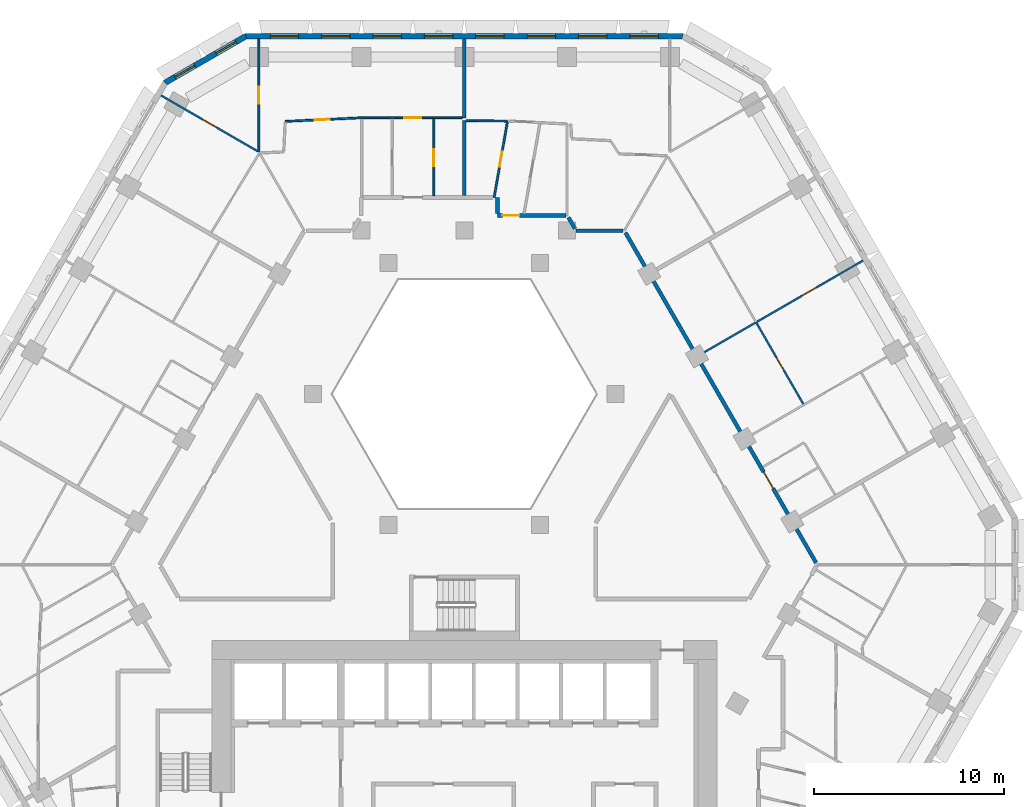
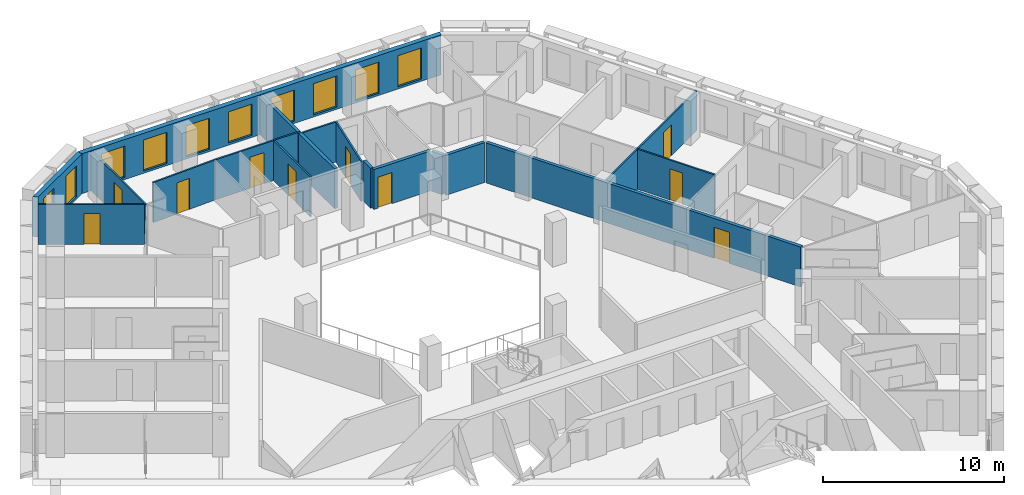
# One storey, part 9 of 18: 18 walls, 10 doors, 10 windows, 20 openings.
"""IFC4 building model written with IfcOpenShell, lengths in metres."""

from ifc_helpers import new_model, si_unit, direction, frame, frame_2d, origin, place, context, subcontext, project, spatial, polyline, rectangle, outline, extrude, material, layer, layer_set, type_object, element, fill, save


model = new_model("IFC4")

# Units and contexts
model_context = context("Model", 3, precision=1e-05, world=origin(), true_north=direction((0.0, 1.0)))
body_context = subcontext(model_context, "Body", "Model", "MODEL_VIEW")
ifc_project = project(units=[si_unit("LENGTHUNIT", "METRE"), si_unit("AREAUNIT", "SQUARE_METRE"), si_unit("VOLUMEUNIT", "CUBIC_METRE"), si_unit("PLANEANGLEUNIT", "RADIAN"), si_unit("MASSUNIT", "GRAM", prefix="KILO")], contexts=[model_context])

# Site, building, storey
site_placement = place(None, origin())
site = spatial("IfcSite", under=ifc_project, at=site_placement, CompositionType="ELEMENT")
building_placement = place(site_placement, origin())
building = spatial("IfcBuilding", under=site, at=building_placement, Name="Beryl Residences", CompositionType="ELEMENT")
storey_placement = place(building_placement, frame((0.0, 0.0, 87.0)))
storey = spatial("IfcBuildingStorey", under=building, at=storey_placement, Name="L26", CompositionType="ELEMENT", Elevation=87.0)

# Wall, openings, windows
ifc_material_1 = material(Name="Composite metal panel with mineral wool insulation")
ifc_layer_1 = layer(ifc_material_1, 0.300048828125)
ifc_layer_set_1 = layer_set([ifc_layer_1], Name="ES1 pale metal composite panel wall 300 mm")
wall_type_1 = type_object("IfcWallType", Name="ES1 pale metal composite panel wall 300 mm", PredefinedType="SOLIDWALL", material=ifc_layer_set_1)
wall_1_placement = place(storey_placement, frame((11.547119140625, 26.85009765625, 0.0), z_axis=(0.0, 0.0, 1.0), x_axis=(-1.0, 0.0, 0.0)))
wall_1 = element("IfcWall", 1, at=wall_1_placement, inside=storey, type_object=wall_type_1, Name="ES1 external wall L26 N", PredefinedType="SOLIDWALL", context=body_context, shape_type="SweptSolid", body=[
    extrude(outline(polyline([(0.0, -0.14990234375), (23.09423828125, -0.14990234375), (23.013916015625, 0.14990234375), (0.080322265625, 0.14990234375), (0.0, -0.14990234375)])), origin(), (0.0, 0.0, 1.0), 2.699951171875),
])
opening_1_placement = place(wall_1_placement, frame((1.324951171875, 0.0, 0.14990234375)))
opening_1 = element("IfcOpeningElement", 2, at=opening_1_placement, cuts=wall_1, Name="Opening W1", PredefinedType="OPENING", context=body_context, shape_type="SweptSolid", body=[
    extrude(rectangle(XDim=1.5, YDim=2.10009765625, at=frame_2d((0.75, 1.050048828125))), frame((0.0, 0.159912109375, 0.0), z_axis=(0.0, -1.0, 0.0), x_axis=(1.0, 0.0, 0.0)), (0.0, 0.0, 1.0), 0.320068359375),
])
opening_2_placement = place(wall_1_placement, frame((4.031982421875, 0.0, 0.14990234375)))
opening_2 = element("IfcOpeningElement", 3, at=opening_2_placement, cuts=wall_1, Name="Opening W1", PredefinedType="OPENING", context=body_context, shape_type="SweptSolid", body=[
    extrude(rectangle(XDim=1.5, YDim=2.10009765625, at=frame_2d((0.75, 1.050048828125))), frame((0.0, 0.159912109375, 0.0), z_axis=(0.0, -1.0, 0.0), x_axis=(1.0, 0.0, 0.0)), (0.0, 0.0, 1.0), 0.320068359375),
])
opening_3_placement = place(wall_1_placement, frame((6.738037109375, 0.0, 0.14990234375)))
opening_3 = element("IfcOpeningElement", 4, at=opening_3_placement, cuts=wall_1, Name="Opening W1", PredefinedType="OPENING", context=body_context, shape_type="SweptSolid", body=[
    extrude(rectangle(XDim=1.5, YDim=2.10009765625, at=frame_2d((0.75, 1.050048828125))), frame((0.0, 0.159912109375, 0.0), z_axis=(0.0, -1.0, 0.0), x_axis=(1.0, 0.0, 0.0)), (0.0, 0.0, 1.0), 0.320068359375),
])
opening_4_placement = place(wall_1_placement, frame((9.445068359375, 0.0, 0.14990234375)))
opening_4 = element("IfcOpeningElement", 5, at=opening_4_placement, cuts=wall_1, Name="Opening W1", PredefinedType="OPENING", context=body_context, shape_type="SweptSolid", body=[
    extrude(rectangle(XDim=1.5, YDim=2.10009765625, at=frame_2d((0.75, 1.050048828125))), frame((0.0, 0.159912109375, 0.0), z_axis=(0.0, -1.0, 0.0), x_axis=(1.0, 0.0, 0.0)), (0.0, 0.0, 1.0), 0.320068359375),
])
opening_5_placement = place(wall_1_placement, frame((12.15087890625, 0.0, 0.14990234375)))
opening_5 = element("IfcOpeningElement", 6, at=opening_5_placement, cuts=wall_1, Name="Opening W1", PredefinedType="OPENING", context=body_context, shape_type="SweptSolid", body=[
    extrude(rectangle(XDim=1.5, YDim=2.10009765625, at=frame_2d((0.75, 1.050048828125))), frame((0.0, 0.159912109375, 0.0), z_axis=(0.0, -1.0, 0.0), x_axis=(1.0, 0.0, 0.0)), (0.0, 0.0, 1.0), 0.320068359375),
])
opening_6_placement = place(wall_1_placement, frame((14.85791015625, 0.0, 0.14990234375)))
opening_6 = element("IfcOpeningElement", 7, at=opening_6_placement, cuts=wall_1, Name="Opening W1", PredefinedType="OPENING", context=body_context, shape_type="SweptSolid", body=[
    extrude(rectangle(XDim=1.5, YDim=2.10009765625, at=frame_2d((0.75, 1.050048828125))), frame((0.0, 0.159912109375, 0.0), z_axis=(0.0, -1.0, 0.0), x_axis=(1.0, 0.0, 0.0)), (0.0, 0.0, 1.0), 0.320068359375),
])
opening_7_placement = place(wall_1_placement, frame((17.56396484375, 0.0, 0.14990234375)))
opening_7 = element("IfcOpeningElement", 8, at=opening_7_placement, cuts=wall_1, Name="Opening W1", PredefinedType="OPENING", context=body_context, shape_type="SweptSolid", body=[
    extrude(rectangle(XDim=1.5, YDim=2.10009765625, at=frame_2d((0.75, 1.050048828125))), frame((0.0, 0.159912109375, 0.0), z_axis=(0.0, -1.0, 0.0), x_axis=(1.0, 0.0, 0.0)), (0.0, 0.0, 1.0), 0.320068359375),
])
opening_8_placement = place(wall_1_placement, frame((20.27099609375, 0.0, 0.14990234375)))
opening_8 = element("IfcOpeningElement", 9, at=opening_8_placement, cuts=wall_1, Name="Opening W1", PredefinedType="OPENING", context=body_context, shape_type="SweptSolid", body=[
    extrude(rectangle(XDim=1.5, YDim=2.10009765625, at=frame_2d((0.75, 1.050048828125))), frame((0.0, 0.159912109375, 0.0), z_axis=(0.0, -1.0, 0.0), x_axis=(1.0, 0.0, 0.0)), (0.0, 0.0, 1.0), 0.320068359375),
])
ifc_material_2 = material(Name="Aluminium and clear glass", Category="aluminium")
window_type_1 = type_object("IfcWindowType", Name="W1 cell window 1500 x 2100 mm", PartitioningType="SINGLE_PANEL", PredefinedType="WINDOW", material=ifc_material_2)
window_1_placement = place(opening_1_placement, origin())
window_1 = element("IfcWindow", 10, at=window_1_placement, inside=storey, type_object=window_type_1, Name="W1 window L26 N 1", OverallHeight=2.10009765625, OverallWidth=1.5, PartitioningType="SINGLE_PANEL", PredefinedType="WINDOW", context=body_context, shape_type="SweptSolid", body=[
    extrude(rectangle(XDim=1.5, YDim=2.10009765625, at=frame_2d((0.75, 1.050048828125))), frame((0.0, 0.030029296875, 0.0), z_axis=(0.0, -1.0, 0.0), x_axis=(1.0, 0.0, 0.0)), (0.0, 0.0, 1.0), 0.06005859375),
])
fill(opening_1, window_1)
window_2_placement = place(opening_2_placement, origin())
window_2 = element("IfcWindow", 11, at=window_2_placement, inside=storey, type_object=window_type_1, Name="W1 window L26 N 2", OverallHeight=2.10009765625, OverallWidth=1.5, PartitioningType="SINGLE_PANEL", PredefinedType="WINDOW", context=body_context, shape_type="SweptSolid", body=[
    extrude(rectangle(XDim=1.5, YDim=2.10009765625, at=frame_2d((0.75, 1.050048828125))), frame((0.0, 0.030029296875, 0.0), z_axis=(0.0, -1.0, 0.0), x_axis=(1.0, 0.0, 0.0)), (0.0, 0.0, 1.0), 0.06005859375),
])
fill(opening_2, window_2)
window_3_placement = place(opening_3_placement, origin())
window_3 = element("IfcWindow", 12, at=window_3_placement, inside=storey, type_object=window_type_1, Name="W1 window L26 N 3", OverallHeight=2.10009765625, OverallWidth=1.5, PartitioningType="SINGLE_PANEL", PredefinedType="WINDOW", context=body_context, shape_type="SweptSolid", body=[
    extrude(rectangle(XDim=1.5, YDim=2.10009765625, at=frame_2d((0.75, 1.050048828125))), frame((0.0, 0.030029296875, 0.0), z_axis=(0.0, -1.0, 0.0), x_axis=(1.0, 0.0, 0.0)), (0.0, 0.0, 1.0), 0.06005859375),
])
fill(opening_3, window_3)
window_4_placement = place(opening_4_placement, origin())
window_4 = element("IfcWindow", 13, at=window_4_placement, inside=storey, type_object=window_type_1, Name="W1 window L26 N 4", OverallHeight=2.10009765625, OverallWidth=1.5, PartitioningType="SINGLE_PANEL", PredefinedType="WINDOW", context=body_context, shape_type="SweptSolid", body=[
    extrude(rectangle(XDim=1.5, YDim=2.10009765625, at=frame_2d((0.75, 1.050048828125))), frame((0.0, 0.030029296875, 0.0), z_axis=(0.0, -1.0, 0.0), x_axis=(1.0, 0.0, 0.0)), (0.0, 0.0, 1.0), 0.06005859375),
])
fill(opening_4, window_4)
window_5_placement = place(opening_5_placement, origin())
window_5 = element("IfcWindow", 14, at=window_5_placement, inside=storey, type_object=window_type_1, Name="W1 window L26 N 5", OverallHeight=2.10009765625, OverallWidth=1.5, PartitioningType="SINGLE_PANEL", PredefinedType="WINDOW", context=body_context, shape_type="SweptSolid", body=[
    extrude(rectangle(XDim=1.5, YDim=2.10009765625, at=frame_2d((0.75, 1.050048828125))), frame((0.0, 0.030029296875, 0.0), z_axis=(0.0, -1.0, 0.0), x_axis=(1.0, 0.0, 0.0)), (0.0, 0.0, 1.0), 0.06005859375),
])
fill(opening_5, window_5)
window_6_placement = place(opening_6_placement, origin())
window_6 = element("IfcWindow", 15, at=window_6_placement, inside=storey, type_object=window_type_1, Name="W1 window L26 N 6", OverallHeight=2.10009765625, OverallWidth=1.5, PartitioningType="SINGLE_PANEL", PredefinedType="WINDOW", context=body_context, shape_type="SweptSolid", body=[
    extrude(rectangle(XDim=1.5, YDim=2.10009765625, at=frame_2d((0.75, 1.050048828125))), frame((0.0, 0.030029296875, 0.0), z_axis=(0.0, -1.0, 0.0), x_axis=(1.0, 0.0, 0.0)), (0.0, 0.0, 1.0), 0.06005859375),
])
fill(opening_6, window_6)
window_7_placement = place(opening_7_placement, origin())
window_7 = element("IfcWindow", 16, at=window_7_placement, inside=storey, type_object=window_type_1, Name="W1 window L26 N 7", OverallHeight=2.10009765625, OverallWidth=1.5, PartitioningType="SINGLE_PANEL", PredefinedType="WINDOW", context=body_context, shape_type="SweptSolid", body=[
    extrude(rectangle(XDim=1.5, YDim=2.10009765625, at=frame_2d((0.75, 1.050048828125))), frame((0.0, 0.030029296875, 0.0), z_axis=(0.0, -1.0, 0.0), x_axis=(1.0, 0.0, 0.0)), (0.0, 0.0, 1.0), 0.06005859375),
])
fill(opening_7, window_7)
window_8_placement = place(opening_8_placement, origin())
window_8 = element("IfcWindow", 17, at=window_8_placement, inside=storey, type_object=window_type_1, Name="W1 window L26 N 8", OverallHeight=2.10009765625, OverallWidth=1.5, PartitioningType="SINGLE_PANEL", PredefinedType="WINDOW", context=body_context, shape_type="SweptSolid", body=[
    extrude(rectangle(XDim=1.5, YDim=2.10009765625, at=frame_2d((0.75, 1.050048828125))), frame((0.0, 0.030029296875, 0.0), z_axis=(0.0, -1.0, 0.0), x_axis=(1.0, 0.0, 0.0)), (0.0, 0.0, 1.0), 0.06005859375),
])
fill(opening_8, window_8)

wall_2_placement = place(storey_placement, frame((-11.471923828125, 26.8701171875, 0.0), z_axis=(0.0, 0.0, 1.0), x_axis=(-0.866022959057, -0.500004234368, 0.0)))
wall_2 = element("IfcWall", 18, at=wall_2_placement, inside=storey, type_object=wall_type_1, Name="ES1 external wall L26 N-NW", PredefinedType="SOLIDWALL", context=body_context, shape_type="SweptSolid", body=[
    extrude(outline(polyline([(0.0, -0.14990234375), (5.0, -0.14990234375), (4.919677734375, 0.14990234375), (0.080322265625, 0.14990234375), (0.0, -0.14990234375)])), origin(), (0.0, 0.0, 1.0), 2.699951171875),
])
opening_9_placement = place(wall_2_placement, frame((0.64990234375, 0.0, 0.14990234375)))
opening_9 = element("IfcOpeningElement", 19, at=opening_9_placement, cuts=wall_2, Name="Opening W2", PredefinedType="OPENING", context=body_context, shape_type="SweptSolid", body=[
    extrude(rectangle(XDim=1.199951171875, YDim=2.10009765625, at=frame_2d((0.60009765625, 1.050048828125))), frame((0.0, 0.159912109375, 0.0), z_axis=(0.0, -1.0, 0.0), x_axis=(1.0, 0.0, 0.0)), (0.0, 0.0, 1.0), 0.320068359375),
])
opening_10_placement = place(wall_2_placement, frame((3.14892578125, 0.0, 0.14990234375)))
opening_10 = element("IfcOpeningElement", 20, at=opening_10_placement, cuts=wall_2, Name="Opening W2", PredefinedType="OPENING", context=body_context, shape_type="SweptSolid", body=[
    extrude(rectangle(XDim=1.199951171875, YDim=2.10009765625, at=frame_2d((0.60009765625, 1.050048828125))), frame((0.0, 0.159912109375, 0.0), z_axis=(0.0, -1.0, 0.0), x_axis=(1.0, 0.0, 0.0)), (0.0, 0.0, 1.0), 0.320068359375),
])
ifc_material_3 = material(Name="Aluminium and clear glass", Category="aluminium")
window_type_2 = type_object("IfcWindowType", Name="W2 chamfer window 1200 x 2100 mm", PartitioningType="SINGLE_PANEL", PredefinedType="WINDOW", material=ifc_material_3)
window_9_placement = place(opening_9_placement, origin())
window_9 = element("IfcWindow", 21, at=window_9_placement, inside=storey, type_object=window_type_2, Name="W2 window L26 N-NW 1", OverallHeight=2.10009765625, OverallWidth=1.199951171875, PartitioningType="SINGLE_PANEL", PredefinedType="WINDOW", context=body_context, shape_type="SweptSolid", body=[
    extrude(rectangle(XDim=1.199951171875, YDim=2.10009765625, at=frame_2d((0.60009765625, 1.050048828125))), frame((0.0, 0.030029296875, 0.0), z_axis=(0.0, -1.0, 0.0), x_axis=(1.0, 0.0, 0.0)), (0.0, 0.0, 1.0), 0.06005859375),
])
fill(opening_9, window_9)
window_10_placement = place(opening_10_placement, origin())
window_10 = element("IfcWindow", 22, at=window_10_placement, inside=storey, type_object=window_type_2, Name="W2 window L26 N-NW 2", OverallHeight=2.10009765625, OverallWidth=1.199951171875, PartitioningType="SINGLE_PANEL", PredefinedType="WINDOW", context=body_context, shape_type="SweptSolid", body=[
    extrude(rectangle(XDim=1.199951171875, YDim=2.10009765625, at=frame_2d((0.60009765625, 1.050048828125))), frame((0.0, 0.030029296875, 0.0), z_axis=(0.0, -1.0, 0.0), x_axis=(1.0, 0.0, 0.0)), (0.0, 0.0, 1.0), 0.06005859375),
])
fill(opening_10, window_10)

# Wall
ifc_material_4 = material(Name="Gypsum board partition on steel studs", Category="steel")
ifc_layer_2 = layer(ifc_material_4, 0.10009765625)
ifc_layer_set_2 = layer_set([ifc_layer_2], Name="PT1 partition 100 mm gypsum board on steel studs")
wall_type_2 = type_object("IfcWallType", Name="PT1 partition 100 mm gypsum board on steel studs", PredefinedType="PARTITIONING", material=ifc_layer_set_2)
wall_3_placement = place(storey_placement, frame((0.09912109375, 22.39599609375, 0.0), z_axis=(0.0, 0.0, 1.0), x_axis=(0.999952228611, -0.009774481889, 0.0)))
element("IfcWall", 23, at=wall_3_placement, inside=storey, type_object=wall_type_2, Name="Wall PT1 L26 001", PredefinedType="PARTITIONING", context=body_context, shape_type="SweptSolid", body=[
    extrude(rectangle(XDim=2.14794921875, YDim=0.10009765625, at=frame_2d((1.073974609375, 0.0))), origin(), (0.0, 0.0, 1.0), 2.699951171875),
])

# Wall, opening, door
wall_4_placement = place(storey_placement, frame((-15.97705078125, 23.72509765625, 0.0), z_axis=(0.0, 0.0, 1.0), x_axis=(0.866028213039, -0.499995134196, 0.0)))
wall_4 = element("IfcWall", 24, at=wall_4_placement, inside=storey, type_object=wall_type_2, Name="Wall PT1 L26 028", PredefinedType="PARTITIONING", context=body_context, shape_type="SweptSolid", body=[
    extrude(rectangle(XDim=5.89013671875, YDim=0.10009765625, at=frame_2d((2.945068359375, 0.0))), origin(), (0.0, 0.0, 1.0), 2.699951171875),
])
opening_11_placement = place(wall_4_placement, frame((2.52392578125, 0.0, 0.0)))
opening_11 = element("IfcOpeningElement", 25, at=opening_11_placement, cuts=wall_4, Name="Opening D0607", PredefinedType="OPENING", context=body_context, shape_type="SweptSolid", body=[
    extrude(rectangle(XDim=0.89990234375, YDim=2.10009765625, at=frame_2d((0.449951171875, 1.050048828125))), frame((0.0, 0.06005859375, 0.0), z_axis=(0.0, -1.0, 0.0), x_axis=(1.0, 0.0, 0.0)), (0.0, 0.0, 1.0), 0.1201171875),
])
ifc_material_5 = material(Name="Timber door leaf", Category="wood")
door_type_1 = type_object("IfcDoorType", Name="D2 room door 900 x 2100 mm", OperationType="SINGLE_SWING_LEFT", PredefinedType="DOOR", material=ifc_material_5)
door_1_placement = place(opening_11_placement, origin())
door_1 = element("IfcDoor", 26, at=door_1_placement, inside=storey, type_object=door_type_1, Name="Door D0607 L26 001", OperationType="SINGLE_SWING_LEFT", OverallHeight=2.10009765625, OverallWidth=0.89990234375, PredefinedType="DOOR", context=body_context, shape_type="SweptSolid", body=[
    extrude(rectangle(XDim=0.89990234375, YDim=2.10009765625, at=frame_2d((0.449951171875, 1.050048828125))), frame((0.0, 0.02490234375, 0.0), z_axis=(0.0, -1.0, 0.0), x_axis=(1.0, 0.0, 0.0)), (0.0, 0.0, 1.0), 0.050048828125),
])
fill(opening_11, door_1)

wall_5_placement = place(storey_placement, frame((-5.384033203125, 22.550048828125, 0.0), z_axis=(0.0, 0.0, 1.0), x_axis=(1.0, 0.0, 0.0)))
wall_5 = element("IfcWall", 27, at=wall_5_placement, inside=storey, type_object=wall_type_2, Name="Wall PT1 L26 036", PredefinedType="PARTITIONING", context=body_context, shape_type="SweptSolid", body=[
    extrude(rectangle(XDim=5.282958984375, YDim=0.10009765625, at=frame_2d((2.6416015625, 0.0))), origin(), (0.0, 0.0, 1.0), 2.699951171875),
])
opening_12_placement = place(wall_5_placement, frame((2.22607421875, 0.0, 0.0)))
opening_12 = element("IfcOpeningElement", 28, at=opening_12_placement, cuts=wall_5, Name="Opening D0604", PredefinedType="OPENING", context=body_context, shape_type="SweptSolid", body=[
    extrude(rectangle(XDim=0.89990234375, YDim=2.10009765625, at=frame_2d((0.449951171875, 1.050048828125))), frame((0.0, 0.06005859375, 0.0), z_axis=(0.0, -1.0, 0.0), x_axis=(1.0, 0.0, 0.0)), (0.0, 0.0, 1.0), 0.1201171875),
])
door_2_placement = place(opening_12_placement, origin())
door_2 = element("IfcDoor", 29, at=door_2_placement, inside=storey, type_object=door_type_1, Name="Door D0604 L26 001", OperationType="SINGLE_SWING_RIGHT", OverallHeight=2.10009765625, OverallWidth=0.89990234375, PredefinedType="DOOR", context=body_context, shape_type="SweptSolid", body=[
    extrude(rectangle(XDim=0.89990234375, YDim=2.10009765625, at=frame_2d((0.449951171875, 1.050048828125))), frame((0.0, 0.02490234375, 0.0), z_axis=(0.0, -1.0, 0.0), x_axis=(1.0, 0.0, 0.0)), (0.0, 0.0, 1.0), 0.050048828125),
])
fill(opening_12, door_2)

wall_6_placement = place(storey_placement, frame((1.571044921875, 18.35009765625, 0.0), z_axis=(0.0, 0.0, 1.0), x_axis=(0.172742546726, 0.984967010895, 0.0)))
wall_6 = element("IfcWall", 30, at=wall_6_placement, inside=storey, type_object=wall_type_2, Name="Wall PT1 L26 050", PredefinedType="PARTITIONING", context=body_context, shape_type="SweptSolid", body=[
    extrude(rectangle(XDim=4.08740234375, YDim=0.10009765625, at=frame_2d((2.043701171875, 0.0))), origin(), (0.0, 0.0, 1.0), 2.699951171875),
])
opening_13_placement = place(wall_6_placement, frame((1.64404296875, 0.0, 0.0)))
opening_13 = element("IfcOpeningElement", 31, at=opening_13_placement, cuts=wall_6, Name="Opening D0660", PredefinedType="OPENING", context=body_context, shape_type="SweptSolid", body=[
    extrude(rectangle(XDim=0.800048828125, YDim=2.10009765625, at=frame_2d((0.39990234375, 1.050048828125))), frame((0.0, 0.06005859375, 0.0), z_axis=(0.0, -1.0, 0.0), x_axis=(1.0, 0.0, 0.0)), (0.0, 0.0, 1.0), 0.1201171875),
])
ifc_material_6 = material(Name="Timber door leaf", Category="wood")
door_type_2 = type_object("IfcDoorType", Name="D3 bathroom door 800 x 2100 mm", OperationType="SINGLE_SWING_LEFT", PredefinedType="DOOR", material=ifc_material_6)
door_3_placement = place(opening_13_placement, origin())
door_3 = element("IfcDoor", 32, at=door_3_placement, inside=storey, type_object=door_type_2, Name="Door D0660 L26 001", OperationType="SINGLE_SWING_RIGHT", OverallHeight=2.10009765625, OverallWidth=0.800048828125, PredefinedType="DOOR", context=body_context, shape_type="SweptSolid", body=[
    extrude(rectangle(XDim=0.800048828125, YDim=2.10009765625, at=frame_2d((0.39990234375, 1.050048828125))), frame((0.0, 0.02490234375, 0.0), z_axis=(0.0, -1.0, 0.0), x_axis=(1.0, 0.0, 0.0)), (0.0, 0.0, 1.0), 0.050048828125),
])
fill(opening_13, door_3)

wall_7_placement = place(storey_placement, frame((-10.826904296875, 20.7529296875, 0.0), z_axis=(0.0, 0.0, 1.0), x_axis=(0.0, 1.0, 0.0)))
wall_7 = element("IfcWall", 33, at=wall_7_placement, inside=storey, type_object=wall_type_2, Name="Wall PT1 L26 064", PredefinedType="PARTITIONING", context=body_context, shape_type="SweptSolid", body=[
    extrude(rectangle(XDim=5.947021484375, YDim=0.10009765625, at=frame_2d((2.9736328125, 0.0))), origin(), (0.0, 0.0, 1.0), 2.699951171875),
])
opening_14_placement = place(wall_7_placement, frame((2.52294921875, 0.0, 0.0)))
opening_14 = element("IfcOpeningElement", 34, at=opening_14_placement, cuts=wall_7, Name="Opening D0605", PredefinedType="OPENING", context=body_context, shape_type="SweptSolid", body=[
    extrude(rectangle(XDim=0.89990234375, YDim=2.10009765625, at=frame_2d((0.449951171875, 1.050048828125))), frame((0.0, 0.06005859375, 0.0), z_axis=(0.0, -1.0, 0.0), x_axis=(1.0, 0.0, 0.0)), (0.0, 0.0, 1.0), 0.1201171875),
])
door_4_placement = place(opening_14_placement, origin())
door_4 = element("IfcDoor", 35, at=door_4_placement, inside=storey, type_object=door_type_1, Name="Door D0605 L26 001", OperationType="SINGLE_SWING_LEFT", OverallHeight=2.10009765625, OverallWidth=0.89990234375, PredefinedType="DOOR", context=body_context, shape_type="SweptSolid", body=[
    extrude(rectangle(XDim=0.89990234375, YDim=2.10009765625, at=frame_2d((0.449951171875, 1.050048828125))), frame((0.0, 0.02490234375, 0.0), z_axis=(0.0, -1.0, 0.0), x_axis=(1.0, 0.0, 0.0)), (0.0, 0.0, 1.0), 0.050048828125),
])
fill(opening_14, door_4)

wall_8_placement = place(storey_placement, frame((-1.60693359375, 18.449951171875, 0.0), z_axis=(0.0, 0.0, 1.0), x_axis=(0.0, 1.0, 0.0)))
wall_8 = element("IfcWall", 36, at=wall_8_placement, inside=storey, type_object=wall_type_2, Name="Wall PT1 L26 065", PredefinedType="PARTITIONING", context=body_context, shape_type="SweptSolid", body=[
    extrude(rectangle(XDim=4.050048828125, YDim=0.10009765625, at=frame_2d((2.02490234375, 0.0))), origin(), (0.0, 0.0, 1.0), 2.699951171875),
])
opening_15_placement = place(wall_8_placement, frame((1.550048828125, 0.0, 0.0)))
opening_15 = element("IfcOpeningElement", 37, at=opening_15_placement, cuts=wall_8, Name="Opening D0603", PredefinedType="OPENING", context=body_context, shape_type="SweptSolid", body=[
    extrude(rectangle(XDim=0.89990234375, YDim=2.10009765625, at=frame_2d((0.449951171875, 1.050048828125))), frame((0.0, 0.06005859375, 0.0), z_axis=(0.0, -1.0, 0.0), x_axis=(1.0, 0.0, 0.0)), (0.0, 0.0, 1.0), 0.1201171875),
])
door_5_placement = place(opening_15_placement, origin())
door_5 = element("IfcDoor", 38, at=door_5_placement, inside=storey, type_object=door_type_1, Name="Door D0603 L26 001", OperationType="SINGLE_SWING_LEFT", OverallHeight=2.10009765625, OverallWidth=0.89990234375, PredefinedType="DOOR", context=body_context, shape_type="SweptSolid", body=[
    extrude(rectangle(XDim=0.89990234375, YDim=2.10009765625, at=frame_2d((0.449951171875, 1.050048828125))), frame((0.0, 0.02490234375, 0.0), z_axis=(0.0, -1.0, 0.0), x_axis=(1.0, 0.0, 0.0)), (0.0, 0.0, 1.0), 0.050048828125),
])
fill(opening_15, door_5)

wall_9_placement = place(storey_placement, frame((-9.43505859375, 22.35791015625, 0.0), z_axis=(0.0, 0.0, 1.0), x_axis=(0.998871548472, 0.04749346959, 0.0)))
wall_9 = element("IfcWall", 39, at=wall_9_placement, inside=storey, type_object=wall_type_2, Name="Wall PT1 L26 068", PredefinedType="PARTITIONING", context=body_context, shape_type="SweptSolid", body=[
    extrude(rectangle(XDim=4.045654296875, YDim=0.10009765625, at=frame_2d((2.02294921875, 0.0))), origin(), (0.0, 0.0, 1.0), 2.699951171875),
])
opening_16_placement = place(wall_9_placement, frame((1.554931640625, 0.0, 0.0)))
opening_16 = element("IfcOpeningElement", 40, at=opening_16_placement, cuts=wall_9, Name="Opening D0606", PredefinedType="OPENING", context=body_context, shape_type="SweptSolid", body=[
    extrude(rectangle(XDim=0.800048828125, YDim=2.10009765625, at=frame_2d((0.39990234375, 1.050048828125))), frame((0.0, 0.06005859375, 0.0), z_axis=(0.0, -1.0, 0.0), x_axis=(1.0, 0.0, 0.0)), (0.0, 0.0, 1.0), 0.1201171875),
])
door_6_placement = place(opening_16_placement, origin())
door_6 = element("IfcDoor", 41, at=door_6_placement, inside=storey, type_object=door_type_2, Name="Door D0606 L26 001", OperationType="SINGLE_SWING_RIGHT", OverallHeight=2.10009765625, OverallWidth=0.800048828125, PredefinedType="DOOR", context=body_context, shape_type="SweptSolid", body=[
    extrude(rectangle(XDim=0.800048828125, YDim=2.10009765625, at=frame_2d((0.39990234375, 1.050048828125))), frame((0.0, 0.02490234375, 0.0), z_axis=(0.0, -1.0, 0.0), x_axis=(1.0, 0.0, 0.0)), (0.0, 0.0, 1.0), 0.050048828125),
])
fill(opening_16, door_6)

wall_10_placement = place(storey_placement, frame((12.342041015625, 10.02490234375, 0.0), z_axis=(0.0, 0.0, 1.0), x_axis=(0.865992435864, 0.500057097767, 0.0)))
wall_10 = element("IfcWall", 42, at=wall_10_placement, inside=storey, type_object=wall_type_2, Name="Wall PT1 L26 075", PredefinedType="PARTITIONING", context=body_context, shape_type="SweptSolid", body=[
    extrude(rectangle(XDim=9.998779296875, YDim=0.10009765625, at=frame_2d((4.99951171875, 0.0))), origin(), (0.0, 0.0, 1.0), 2.699951171875),
])
opening_17_placement = place(wall_10_placement, frame((6.300048828125, 0.0, 0.0)))
opening_17 = element("IfcOpeningElement", 43, at=opening_17_placement, cuts=wall_10, Name="Opening D0656", PredefinedType="OPENING", context=body_context, shape_type="SweptSolid", body=[
    extrude(rectangle(XDim=0.89990234375, YDim=2.10009765625, at=frame_2d((0.449951171875, 1.050048828125))), frame((0.0, 0.06005859375, 0.0), z_axis=(0.0, -1.0, 0.0), x_axis=(1.0, 0.0, 0.0)), (0.0, 0.0, 1.0), 0.1201171875),
])
door_7_placement = place(opening_17_placement, origin())
door_7 = element("IfcDoor", 44, at=door_7_placement, inside=storey, type_object=door_type_1, Name="Door D0656 L26 001", OperationType="SINGLE_SWING_RIGHT", OverallHeight=2.10009765625, OverallWidth=0.89990234375, PredefinedType="DOOR", context=body_context, shape_type="SweptSolid", body=[
    extrude(rectangle(XDim=0.89990234375, YDim=2.10009765625, at=frame_2d((0.449951171875, 1.050048828125))), frame((0.0, 0.02490234375, 0.0), z_axis=(0.0, -1.0, 0.0), x_axis=(1.0, 0.0, 0.0)), (0.0, 0.0, 1.0), 0.050048828125),
])
fill(opening_17, door_7)

wall_11_placement = place(storey_placement, frame((15.3720703125, 11.77490234375, 0.0), z_axis=(0.0, 0.0, 1.0), x_axis=(0.500035488351, -0.866004913606, 0.0)))
wall_11 = element("IfcWall", 45, at=wall_11_placement, inside=storey, type_object=wall_type_2, Name="Wall PT1 L26 078", PredefinedType="PARTITIONING", context=body_context, shape_type="SweptSolid", body=[
    extrude(rectangle(XDim=4.973388671875, YDim=0.10009765625, at=frame_2d((2.48681640625, 0.0))), origin(), (0.0, 0.0, 1.0), 2.699951171875),
])
opening_18_placement = place(wall_11_placement, frame((2.112060546875, 0.0, 0.0)))
opening_18 = element("IfcOpeningElement", 46, at=opening_18_placement, cuts=wall_11, Name="Opening D0655", PredefinedType="OPENING", context=body_context, shape_type="SweptSolid", body=[
    extrude(rectangle(XDim=0.800048828125, YDim=2.10009765625, at=frame_2d((0.39990234375, 1.050048828125))), frame((0.0, 0.06005859375, 0.0), z_axis=(0.0, -1.0, 0.0), x_axis=(1.0, 0.0, 0.0)), (0.0, 0.0, 1.0), 0.1201171875),
])
door_8_placement = place(opening_18_placement, origin())
door_8 = element("IfcDoor", 47, at=door_8_placement, inside=storey, type_object=door_type_2, Name="Door D0655 L26 001", OperationType="SINGLE_SWING_LEFT", OverallHeight=2.10009765625, OverallWidth=0.800048828125, PredefinedType="DOOR", context=body_context, shape_type="SweptSolid", body=[
    extrude(rectangle(XDim=0.800048828125, YDim=2.10009765625, at=frame_2d((0.39990234375, 1.050048828125))), frame((0.0, 0.02490234375, 0.0), z_axis=(0.0, -1.0, 0.0), x_axis=(1.0, 0.0, 0.0)), (0.0, 0.0, 1.0), 0.050048828125),
])
fill(opening_18, door_8)

# Walls
ifc_material_7 = material(Name="Acoustic double stud gypsum board wall")
ifc_layer_3 = layer(ifc_material_7, 0.199951171875)
ifc_layer_set_3 = layer_set([ifc_layer_3], Name="PT3 party wall 200 mm acoustic double stud")
wall_type_3 = type_object("IfcWallType", Name="PT3 party wall 200 mm acoustic double stud", PredefinedType="PARTITIONING", material=ifc_layer_set_3)
wall_12_placement = place(storey_placement, frame((-0.0009765625, 18.449951171875, 0.0), z_axis=(0.0, 0.0, 1.0), x_axis=(0.0, 1.0, 0.0)))
element("IfcWall", 48, at=wall_12_placement, inside=storey, type_object=wall_type_3, Name="Wall PT3 L26 006", PredefinedType="PARTITIONING", context=body_context, shape_type="SweptSolid", body=[
    extrude(rectangle(XDim=3.967041015625, YDim=0.199951171875, at=frame_2d((1.9833984375, 0.0))), origin(), (0.0, 0.0, 1.0), 2.699951171875),
])
wall_13_placement = place(storey_placement, frame((-0.0009765625, 22.550048828125, 0.0), z_axis=(0.0, 0.0, 1.0), x_axis=(0.0, 1.0, 0.0)))
element("IfcWall", 49, at=wall_13_placement, inside=storey, type_object=wall_type_3, Name="Wall PT3 L26 007", PredefinedType="PARTITIONING", context=body_context, shape_type="SweptSolid", body=[
    extrude(rectangle(XDim=4.14990234375, YDim=0.199951171875, at=frame_2d((2.074951171875, 0.0))), origin(), (0.0, 0.0, 1.0), 2.699951171875),
])
ifc_material_8 = material(Name="Double stud gypsum board wall")
ifc_layer_4 = layer(ifc_material_8, 0.199951171875)
ifc_layer_set_4 = layer_set([ifc_layer_4], Name="PT4 corridor wall 200 mm double stud")
wall_type_4 = type_object("IfcWallType", Name="PT4 corridor wall 200 mm double stud", PredefinedType="PARTITIONING", material=ifc_layer_set_4)
wall_14_placement = place(storey_placement, frame((5.485107421875, 17.300048828125, 0.0), z_axis=(0.0, 0.0, 1.0), x_axis=(0.499437640892, -0.866349838611, 0.0)))
element("IfcWall", 50, at=wall_14_placement, inside=storey, type_object=wall_type_4, Name="Wall PT4 L26 004", PredefinedType="PARTITIONING", context=body_context, shape_type="SweptSolid", body=[
    extrude(rectangle(XDim=0.692626953125, YDim=0.199951171875, at=frame_2d((0.34619140625, 0.0))), origin(), (0.0, 0.0, 1.0), 2.699951171875),
])

# Wall, opening, door
wall_15_placement = place(storey_placement, frame((8.488037109375, 16.5, 0.0), z_axis=(0.0, 0.0, 1.0), x_axis=(0.499986836607, -0.86603300354, 0.0)))
wall_15 = element("IfcWall", 51, at=wall_15_placement, inside=storey, type_object=wall_type_4, Name="Wall PT4 L26 006", PredefinedType="PARTITIONING", context=body_context, shape_type="SweptSolid", body=[
    extrude(rectangle(XDim=20.09033203125, YDim=0.199951171875, at=frame_2d((10.045166015625, 0.0))), origin(), (0.0, 0.0, 1.0), 2.699951171875),
])
opening_19_placement = place(wall_15_placement, frame((14.569091796875, 0.0, 0.0)))
opening_19 = element("IfcOpeningElement", 52, at=opening_19_placement, cuts=wall_15, Name="Opening D0650", PredefinedType="OPENING", context=body_context, shape_type="SweptSolid", body=[
    extrude(rectangle(XDim=1.0, YDim=2.10009765625, at=frame_2d((0.5, 1.050048828125))), frame((0.0, 0.10986328125, 0.0), z_axis=(0.0, -1.0, 0.0), x_axis=(1.0, 0.0, 0.0)), (0.0, 0.0, 1.0), 0.219970703125),
])
ifc_material_9 = material(Name="Timber door leaf", Category="wood")
door_type_3 = type_object("IfcDoorType", Name="D1 flat entrance door 1000 x 2100 mm", OperationType="SINGLE_SWING_LEFT", PredefinedType="DOOR", material=ifc_material_9)
door_9_placement = place(opening_19_placement, origin())
door_9 = element("IfcDoor", 53, at=door_9_placement, inside=storey, type_object=door_type_3, Name="Door D0650 L26 001", OperationType="SINGLE_SWING_RIGHT", OverallHeight=2.10009765625, OverallWidth=1.0, PredefinedType="DOOR", context=body_context, shape_type="SweptSolid", body=[
    extrude(rectangle(XDim=1.0, YDim=2.10009765625, at=frame_2d((0.5, 1.050048828125))), frame((0.0, 0.02490234375, 0.0), z_axis=(0.0, -1.0, 0.0), x_axis=(1.0, 0.0, 0.0)), (0.0, 0.0, 1.0), 0.050048828125),
])
fill(opening_19, door_9)

# Walls
wall_16_placement = place(storey_placement, frame((1.7490234375, 18.35009765625, 0.0), z_axis=(0.0, 0.0, 1.0), x_axis=(0.0, -1.0, 0.0)))
element("IfcWall", 54, at=wall_16_placement, inside=storey, type_object=wall_type_4, Name="Wall PT4 L26 011", PredefinedType="PARTITIONING", context=body_context, shape_type="SweptSolid", body=[
    extrude(rectangle(XDim=0.84912109375, YDim=0.199951171875, at=frame_2d((0.424560546875, 0.0))), origin(), (0.0, 0.0, 1.0), 2.699951171875),
])
wall_17_placement = place(storey_placement, frame((5.888916015625, 16.60009765625, 0.0), z_axis=(0.0, 0.0, 1.0), x_axis=(1.0, 0.0, 0.0)))
element("IfcWall", 55, at=wall_17_placement, inside=storey, type_object=wall_type_4, Name="Wall PT4 L26 020", PredefinedType="PARTITIONING", context=body_context, shape_type="SweptSolid", body=[
    extrude(rectangle(XDim=2.483154296875, YDim=0.199951171875, at=frame_2d((1.24169921875, 0.0))), origin(), (0.0, 0.0, 1.0), 2.699951171875),
])

# Wall, opening, door
wall_18_placement = place(storey_placement, frame((1.75, 17.39990234375, 0.0), z_axis=(0.0, 0.0, 1.0), x_axis=(1.0, 0.0, 0.0)))
wall_18 = element("IfcWall", 56, at=wall_18_placement, inside=storey, type_object=wall_type_4, Name="Wall PT4 L26 021", PredefinedType="PARTITIONING", context=body_context, shape_type="SweptSolid", body=[
    extrude(rectangle(XDim=3.612060546875, YDim=0.199951171875, at=frame_2d((1.80615234375, 0.0))), origin(), (0.0, 0.0, 1.0), 2.699951171875),
])
opening_20_placement = place(wall_18_placement, frame((0.256103515625, 0.0, 0.0)))
opening_20 = element("IfcOpeningElement", 57, at=opening_20_placement, cuts=wall_18, Name="Opening D0658", PredefinedType="OPENING", context=body_context, shape_type="SweptSolid", body=[
    extrude(rectangle(XDim=0.89990234375, YDim=2.10009765625, at=frame_2d((0.449951171875, 1.050048828125))), frame((0.0, 0.10986328125, 0.0), z_axis=(0.0, -1.0, 0.0), x_axis=(1.0, 0.0, 0.0)), (0.0, 0.0, 1.0), 0.219970703125),
])
ifc_material_10 = material(Name="Timber door leaf", Category="wood")
door_type_4 = type_object("IfcDoorType", Name="D11 flat entrance door 900 x 2100 mm", OperationType="SINGLE_SWING_LEFT", PredefinedType="DOOR", material=ifc_material_10)
door_10_placement = place(opening_20_placement, origin())
door_10 = element("IfcDoor", 58, at=door_10_placement, inside=storey, type_object=door_type_4, Name="Door D0658 L26 001", OperationType="SINGLE_SWING_RIGHT", OverallHeight=2.10009765625, OverallWidth=0.89990234375, PredefinedType="DOOR", context=body_context, shape_type="SweptSolid", body=[
    extrude(rectangle(XDim=0.89990234375, YDim=2.10009765625, at=frame_2d((0.449951171875, 1.050048828125))), frame((0.0, 0.02490234375, 0.0), z_axis=(0.0, -1.0, 0.0), x_axis=(1.0, 0.0, 0.0)), (0.0, 0.0, 1.0), 0.050048828125),
])
fill(opening_20, door_10)

save(model, "model.ifc")
